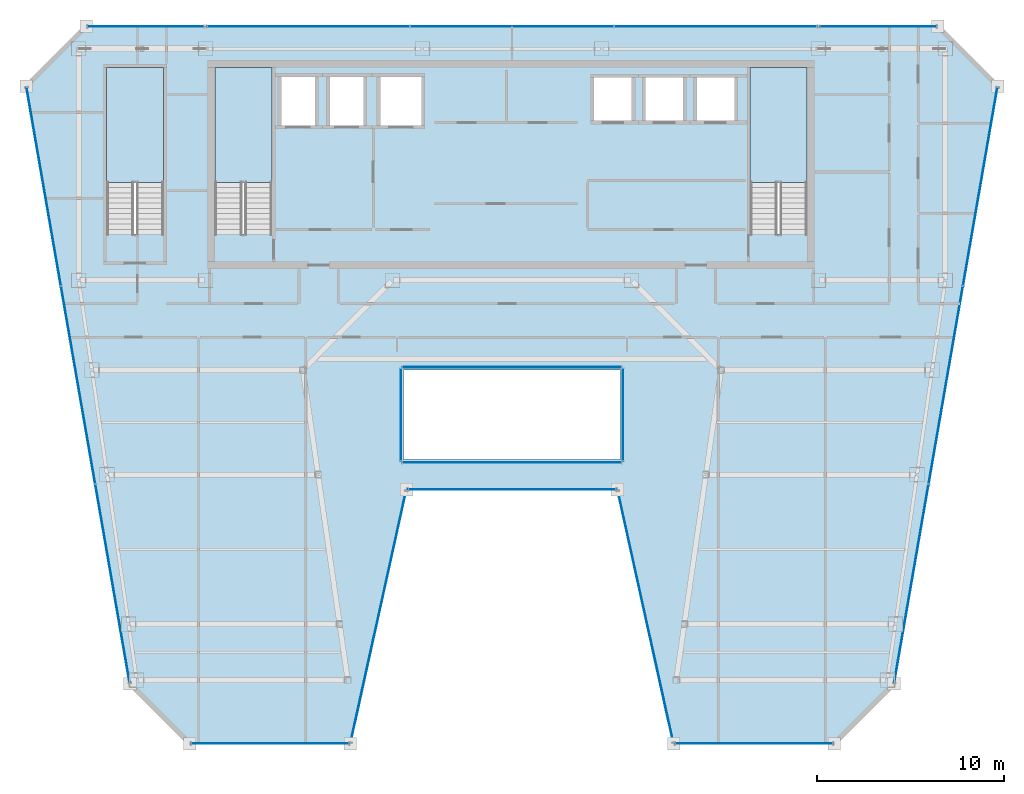
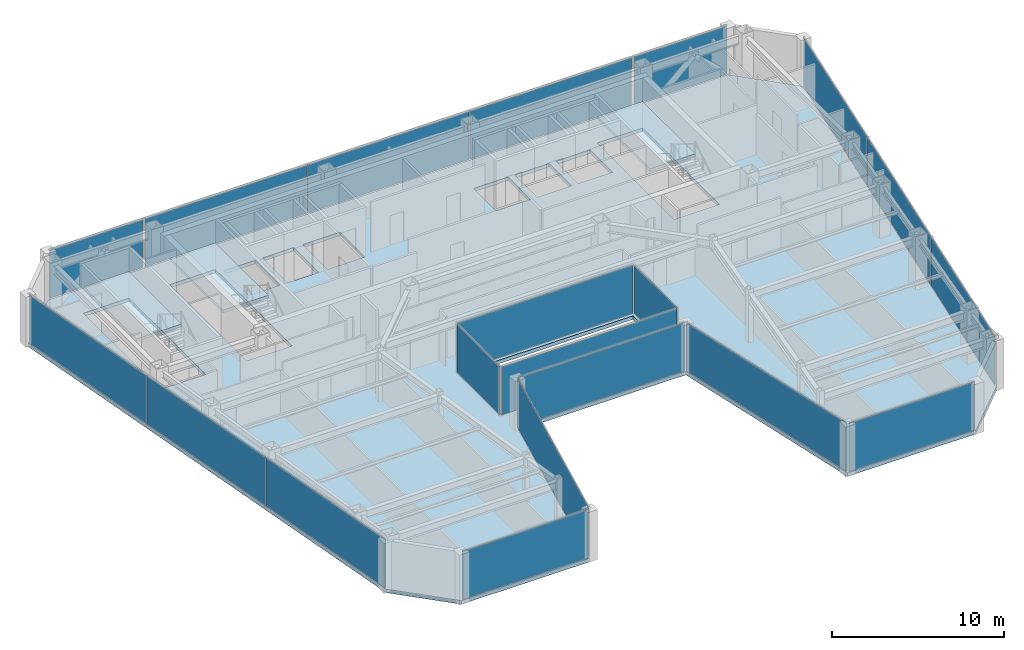
# One storey, part 24 of 32: 20 plates, 4 slabs, 17 elements without a shape of their own.
"""IFC4 building model written with IfcOpenShell, lengths in metres."""

from ifc_helpers import new_model, si_unit, direction, frame, origin, origin_2d, place, context, subcontext, project, spatial, polyline, rectangle, outline, extrude, material, layer, layer_set, type_object, element, aggregate, save


model = new_model("IFC4")

# Units and contexts
model_context = context("Model", 3, precision=1e-05, world=origin(), true_north=direction((0.0, 1.0)))
body_context = subcontext(model_context, "Body", "Model", "MODEL_VIEW")
ifc_project = project(units=[si_unit("LENGTHUNIT", "METRE"), si_unit("AREAUNIT", "SQUARE_METRE"), si_unit("VOLUMEUNIT", "CUBIC_METRE"), si_unit("PLANEANGLEUNIT", "RADIAN"), si_unit("MASSUNIT", "GRAM", prefix="KILO")], contexts=[model_context])

# Site, building, storey
site_placement = place(None, origin())
site = spatial("IfcSite", under=ifc_project, at=site_placement, CompositionType="ELEMENT")
building_placement = place(site_placement, origin())
building = spatial("IfcBuilding", under=site, at=building_placement, Name="Saevonmaru Cultural Tower", CompositionType="ELEMENT")
storey_placement = place(building_placement, frame((0.0, 0.0, 242.0)))
storey = spatial("IfcBuildingStorey", under=building, at=storey_placement, Name="L56", CompositionType="ELEMENT", Elevation=242.0)

# Curtain wall, plate
ifc_material_1 = material(Name="Satin Bronze Anodised Aluminium", Category="aluminium")
curtain_wall_type_1 = type_object("IfcCurtainWallType", Name="CW-ATR-GLZ", PredefinedType="NOTDEFINED", material=ifc_material_1)
curtain_wall_1_placement = place(storey_placement, origin())
curtain_wall_1 = element("IfcCurtainWall", 1, at=curtain_wall_1_placement, inside=storey, type_object=curtain_wall_type_1, Name="L56 Vertical Atrium Glazed Smoke Screen 1", PredefinedType="NOTDEFINED")
ifc_material_2 = material(Name="Fire-Rated Laminated Atrium Glass", Category="glass")
ifc_layer_1 = layer(ifc_material_2, 0.031982421875, Name="Fire-Rated Laminated Atrium Glass")
ifc_layer_set_1 = layer_set([ifc_layer_1], Name="Fire-Rated Laminated Atrium Glass")
plate_type_1 = type_object("IfcPlateType", Name="PN-GLZ-ATR-INT", PredefinedType="CURTAIN_PANEL", material=ifc_layer_set_1)
plate_1_placement = place(storey_placement, frame((30.0, 32.64990234375, 0.06689453125), z_axis=(0.0, 0.0, 1.0), x_axis=(1.0, 0.0, 0.0)))
plate_1 = element("IfcPlate", 2, at=plate_1_placement, type_object=plate_type_1, Name="CW-ATR-L56-1 panel 1.1", PredefinedType="CURTAIN_PANEL", context=body_context, shape_type="SweptSolid", body=[
    extrude(rectangle(XDim=11.7109375, YDim=0.031982421875, at=origin_2d()), origin(), (0.0, 0.0, 1.0), 3.416015625),
])
aggregate(curtain_wall_1, [plate_1])

curtain_wall_2_placement = place(storey_placement, origin())
curtain_wall_2 = element("IfcCurtainWall", 3, at=curtain_wall_2_placement, inside=storey, type_object=curtain_wall_type_1, Name="L56 Vertical Atrium Glazed Smoke Screen 2", PredefinedType="NOTDEFINED")
plate_2_placement = place(storey_placement, frame((35.949951171875, 35.199951171875, 0.06689453125), z_axis=(0.0, 0.0, 1.0), x_axis=(0.0, 1.0, 0.0)))
plate_2 = element("IfcPlate", 4, at=plate_2_placement, type_object=plate_type_1, Name="CW-ATR-L56-2 panel 1.1", PredefinedType="CURTAIN_PANEL", context=body_context, shape_type="SweptSolid", body=[
    extrude(rectangle(XDim=4.910888671875, YDim=0.031982421875, at=origin_2d()), origin(), (0.0, 0.0, 1.0), 3.416015625),
])
aggregate(curtain_wall_2, [plate_2])

curtain_wall_3_placement = place(storey_placement, origin())
curtain_wall_3 = element("IfcCurtainWall", 5, at=curtain_wall_3_placement, inside=storey, type_object=curtain_wall_type_1, Name="L56 Vertical Atrium Glazed Smoke Screen 3", PredefinedType="NOTDEFINED")
plate_3_placement = place(storey_placement, frame((30.0, 37.75, 0.06689453125), z_axis=(0.0, 0.0, 1.0), x_axis=(-1.0, 0.0, 0.0)))
plate_3 = element("IfcPlate", 6, at=plate_3_placement, type_object=plate_type_1, Name="CW-ATR-L56-3 panel 1.1", PredefinedType="CURTAIN_PANEL", context=body_context, shape_type="SweptSolid", body=[
    extrude(rectangle(XDim=11.7109375, YDim=0.031982421875, at=origin_2d()), origin(), (0.0, 0.0, 1.0), 3.416015625),
])
aggregate(curtain_wall_3, [plate_3])

curtain_wall_4_placement = place(storey_placement, origin())
curtain_wall_4 = element("IfcCurtainWall", 7, at=curtain_wall_4_placement, inside=storey, type_object=curtain_wall_type_1, Name="L56 Vertical Atrium Glazed Smoke Screen 4", PredefinedType="NOTDEFINED")
plate_4_placement = place(storey_placement, frame((24.050048828125, 35.199951171875, 0.06689453125), z_axis=(0.0, 0.0, 1.0), x_axis=(0.0, -1.0, 0.0)))
plate_4 = element("IfcPlate", 8, at=plate_4_placement, type_object=plate_type_1, Name="CW-ATR-L56-4 panel 1.1", PredefinedType="CURTAIN_PANEL", context=body_context, shape_type="SweptSolid", body=[
    extrude(rectangle(XDim=4.910888671875, YDim=0.031982421875, at=origin_2d()), origin(), (0.0, 0.0, 1.0), 3.416015625),
])
aggregate(curtain_wall_4, [plate_4])

curtain_wall_type_2 = type_object("IfcCurtainWallType", Name="CW-TYP-B", PredefinedType="NOTDEFINED", material=ifc_material_1)
curtain_wall_5_placement = place(storey_placement, origin())
curtain_wall_5 = element("IfcCurtainWall", 9, at=curtain_wall_5_placement, inside=storey, type_object=curtain_wall_type_2, Name="L56 Unitised Curtain Wall E2", PredefinedType="NOTDEFINED")
ifc_material_3 = material(Name="Triple Silver Low-E Insulating Glass", Category="glass")
ifc_layer_2 = layer(ifc_material_3, 0.035888671875, Name="Triple Silver Low-E Insulating Glass")
ifc_layer_set_2 = layer_set([ifc_layer_2], Name="Triple Silver Low-E Insulating Glass")
plate_type_2 = type_object("IfcPlateType", Name="PN-GLZ-IGU", PredefinedType="CURTAIN_PANEL", material=ifc_layer_set_2)
plate_5_placement = place(storey_placement, frame((17.046630859375, 17.60009765625, 0.06689453125), z_axis=(0.0, 0.0, 1.0), x_axis=(1.0, 0.0, 0.0)))
plate_5 = element("IfcPlate", 10, at=plate_5_placement, type_object=plate_type_2, Name="CW-TW-L56-E2 panel 1.1", PredefinedType="CURTAIN_PANEL", context=body_context, shape_type="SweptSolid", body=[
    extrude(rectangle(XDim=8.410888671875, YDim=0.035888671875, at=origin_2d()), origin(), (0.0, 0.0, 1.0), 3.416015625),
])
aggregate(curtain_wall_5, [plate_5])

curtain_wall_6_placement = place(storey_placement, origin())
curtain_wall_6 = element("IfcCurtainWall", 11, at=curtain_wall_6_placement, inside=storey, type_object=curtain_wall_type_2, Name="L56 Unitised Curtain Wall E3", PredefinedType="NOTDEFINED")
plate_6_placement = place(storey_placement, frame((22.8466796875, 24.39990234375, 0.06689453125), z_axis=(0.0, 0.0, 1.0), x_axis=(0.215413319953, 0.976522965212, 0.0)))
plate_6 = element("IfcPlate", 12, at=plate_6_placement, type_object=plate_type_2, Name="CW-TW-L56-E3 panel 1.1", PredefinedType="CURTAIN_PANEL", context=body_context, shape_type="SweptSolid", body=[
    extrude(rectangle(XDim=13.738037109375, YDim=0.035888671875, at=origin_2d()), origin(), (0.0, 0.0, 1.0), 3.416015625),
])
aggregate(curtain_wall_6, [plate_6])

curtain_wall_7_placement = place(storey_placement, origin())
curtain_wall_7 = element("IfcCurtainWall", 13, at=curtain_wall_7_placement, inside=storey, type_object=curtain_wall_type_2, Name="L56 Unitised Curtain Wall E4", PredefinedType="NOTDEFINED")
plate_7_placement = place(storey_placement, frame((30.0, 31.199951171875, 0.06689453125), z_axis=(0.0, 0.0, 1.0), x_axis=(1.0, 0.0, 0.0)))
plate_7 = element("IfcPlate", 14, at=plate_7_placement, type_object=plate_type_2, Name="CW-TW-L56-E4 panel 1.1", PredefinedType="CURTAIN_PANEL", context=body_context, shape_type="SweptSolid", body=[
    extrude(rectangle(XDim=11.11767578125, YDim=0.035888671875, at=origin_2d()), origin(), (0.0, 0.0, 1.0), 3.416015625),
])
aggregate(curtain_wall_7, [plate_7])

curtain_wall_8_placement = place(storey_placement, origin())
curtain_wall_8 = element("IfcCurtainWall", 15, at=curtain_wall_8_placement, inside=storey, type_object=curtain_wall_type_2, Name="L56 Unitised Curtain Wall E5", PredefinedType="NOTDEFINED")
plate_8_placement = place(storey_placement, frame((37.1533203125, 24.39990234375, 0.06689453125), z_axis=(0.0, 0.0, 1.0), x_axis=(0.215413319953, -0.976522965212, 0.0)))
plate_8 = element("IfcPlate", 16, at=plate_8_placement, type_object=plate_type_2, Name="CW-TW-L56-E5 panel 1.1", PredefinedType="CURTAIN_PANEL", context=body_context, shape_type="SweptSolid", body=[
    extrude(rectangle(XDim=13.738037109375, YDim=0.035888671875, at=origin_2d()), origin(), (0.0, 0.0, 1.0), 3.416015625),
])
aggregate(curtain_wall_8, [plate_8])

curtain_wall_9_placement = place(storey_placement, origin())
curtain_wall_9 = element("IfcCurtainWall", 17, at=curtain_wall_9_placement, inside=storey, type_object=curtain_wall_type_2, Name="L56 Unitised Curtain Wall E6", PredefinedType="NOTDEFINED")
plate_9_placement = place(storey_placement, frame((42.953369140625, 17.60009765625, 0.06689453125), z_axis=(0.0, 0.0, 1.0), x_axis=(1.0, 0.0, 0.0)))
plate_9 = element("IfcPlate", 18, at=plate_9_placement, type_object=plate_type_2, Name="CW-TW-L56-E6 panel 1.1", PredefinedType="CURTAIN_PANEL", context=body_context, shape_type="SweptSolid", body=[
    extrude(rectangle(XDim=8.410888671875, YDim=0.035888671875, at=origin_2d()), origin(), (0.0, 0.0, 1.0), 3.416015625),
])
aggregate(curtain_wall_9, [plate_9])

# Curtain wall, plates
curtain_wall_10_placement = place(storey_placement, origin())
curtain_wall_10 = element("IfcCurtainWall", 19, at=curtain_wall_10_placement, inside=storey, type_object=curtain_wall_type_2, Name="L56 Unitised Curtain Wall E8", PredefinedType="NOTDEFINED")
plate_10_placement = place(storey_placement, frame((51.384521484375, 26.1728515625, 0.06689453125), z_axis=(0.0, 0.0, 1.0), x_axis=(0.170790369887, 0.985307388359, 0.0)))
plate_10 = element("IfcPlate", 20, at=plate_10_placement, type_object=plate_type_2, Name="CW-TW-L56-E8 panel 1.1", PredefinedType="CURTAIN_PANEL", context=body_context, shape_type="SweptSolid", body=[
    extrude(rectangle(XDim=10.716796875, YDim=0.035888671875, at=origin_2d()), origin(), (0.0, 0.0, 1.0), 3.416015625),
])
plate_11_placement = place(storey_placement, frame((53.2265625, 36.800048828125, 0.06689453125), z_axis=(0.0, 0.0, 1.0), x_axis=(0.170790369887, 0.985307388359, 0.0)))
plate_11 = element("IfcPlate", 21, at=plate_11_placement, type_object=plate_type_2, Name="CW-TW-L56-E8 panel 2.1", PredefinedType="CURTAIN_PANEL", context=body_context, shape_type="SweptSolid", body=[
    extrude(rectangle(XDim=10.716796875, YDim=0.035888671875, at=origin_2d()), origin(), (0.0, 0.0, 1.0), 3.416015625),
])
plate_12_placement = place(storey_placement, frame((55.06884765625, 47.42724609375, 0.06689453125), z_axis=(0.0, 0.0, 1.0), x_axis=(0.170790369887, 0.985307388359, 0.0)))
plate_12 = element("IfcPlate", 22, at=plate_12_placement, type_object=plate_type_2, Name="CW-TW-L56-E8 panel 3.1", PredefinedType="CURTAIN_PANEL", context=body_context, shape_type="SweptSolid", body=[
    extrude(rectangle(XDim=10.716796875, YDim=0.035888671875, at=origin_2d()), origin(), (0.0, 0.0, 1.0), 3.416015625),
])
aggregate(curtain_wall_10, [plate_10, plate_11, plate_12])

curtain_wall_11_placement = place(storey_placement, origin())
curtain_wall_11 = element("IfcCurtainWall", 23, at=curtain_wall_11_placement, inside=storey, type_object=curtain_wall_type_2, Name="L56 North Spine Unitised Curtain Wall E10B", PredefinedType="NOTDEFINED")
plate_13_placement = place(storey_placement, frame((40.893310546875, 56.0, 0.06689453125), z_axis=(0.0, 0.0, 1.0), x_axis=(-1.0, 0.0, 0.0)))
plate_13 = element("IfcPlate", 24, at=plate_13_placement, type_object=plate_type_2, Name="CW-TW-L56-E10B panel 1.1", PredefinedType="CURTAIN_PANEL", context=body_context, shape_type="SweptSolid", body=[
    extrude(rectangle(XDim=10.82421875, YDim=0.035888671875, at=origin_2d()), origin(), (0.0, 0.0, 1.0), 3.416015625),
])
plate_14_placement = place(storey_placement, frame((30.0, 56.0, 0.06689453125), z_axis=(0.0, 0.0, 1.0), x_axis=(-1.0, 0.0, 0.0)))
plate_14 = element("IfcPlate", 25, at=plate_14_placement, type_object=plate_type_2, Name="CW-TW-L56-E10B panel 2.1", PredefinedType="CURTAIN_PANEL", context=body_context, shape_type="SweptSolid", body=[
    extrude(rectangle(XDim=10.82421875, YDim=0.035888671875, at=origin_2d()), origin(), (0.0, 0.0, 1.0), 3.416015625),
])
plate_15_placement = place(storey_placement, frame((19.106689453125, 56.0, 0.06689453125), z_axis=(0.0, 0.0, 1.0), x_axis=(-1.0, 0.0, 0.0)))
plate_15 = element("IfcPlate", 26, at=plate_15_placement, type_object=plate_type_2, Name="CW-TW-L56-E10B panel 3.1", PredefinedType="CURTAIN_PANEL", context=body_context, shape_type="SweptSolid", body=[
    extrude(rectangle(XDim=10.82421875, YDim=0.035888671875, at=origin_2d()), origin(), (0.0, 0.0, 1.0), 3.416015625),
])
aggregate(curtain_wall_11, [plate_13, plate_14, plate_15])

curtain_wall_12_placement = place(storey_placement, origin())
curtain_wall_12 = element("IfcCurtainWall", 27, at=curtain_wall_12_placement, inside=storey, type_object=curtain_wall_type_2, Name="L56 Unitised Curtain Wall E12", PredefinedType="NOTDEFINED")
plate_16_placement = place(storey_placement, frame((4.93115234375, 47.42724609375, 0.06689453125), z_axis=(0.0, 0.0, 1.0), x_axis=(0.170790369887, -0.985307388359, 0.0)))
plate_16 = element("IfcPlate", 28, at=plate_16_placement, type_object=plate_type_2, Name="CW-TW-L56-E12 panel 1.1", PredefinedType="CURTAIN_PANEL", context=body_context, shape_type="SweptSolid", body=[
    extrude(rectangle(XDim=10.716796875, YDim=0.035888671875, at=origin_2d()), origin(), (0.0, 0.0, 1.0), 3.416015625),
])
plate_17_placement = place(storey_placement, frame((6.7734375, 36.800048828125, 0.06689453125), z_axis=(0.0, 0.0, 1.0), x_axis=(0.170790369887, -0.985307388359, 0.0)))
plate_17 = element("IfcPlate", 29, at=plate_17_placement, type_object=plate_type_2, Name="CW-TW-L56-E12 panel 2.1", PredefinedType="CURTAIN_PANEL", context=body_context, shape_type="SweptSolid", body=[
    extrude(rectangle(XDim=10.716796875, YDim=0.035888671875, at=origin_2d()), origin(), (0.0, 0.0, 1.0), 3.416015625),
])
plate_18_placement = place(storey_placement, frame((8.615478515625, 26.1728515625, 0.06689453125), z_axis=(0.0, 0.0, 1.0), x_axis=(0.170790369887, -0.985307388359, 0.0)))
plate_18 = element("IfcPlate", 30, at=plate_18_placement, type_object=plate_type_2, Name="CW-TW-L56-E12 panel 3.1", PredefinedType="CURTAIN_PANEL", context=body_context, shape_type="SweptSolid", body=[
    extrude(rectangle(XDim=10.716796875, YDim=0.035888671875, at=origin_2d()), origin(), (0.0, 0.0, 1.0), 3.416015625),
])
aggregate(curtain_wall_12, [plate_16, plate_17, plate_18])

# Curtain wall, plate
curtain_wall_13_placement = place(storey_placement, origin())
curtain_wall_13 = element("IfcCurtainWall", 31, at=curtain_wall_13_placement, inside=storey, type_object=curtain_wall_type_2, Name="L56 East Braced Bay Spandrel Curtain Wall E10A", PredefinedType="NOTDEFINED")
ifc_material_4 = material(Name="Insulated Satin Bronze Aluminium Spandrel Panel", Category="aluminium")
ifc_layer_3 = layer(ifc_material_4, 0.0400390625, Name="Insulated Satin Bronze Aluminium Spandrel Panel")
ifc_layer_set_3 = layer_set([ifc_layer_3], Name="Insulated Satin Bronze Aluminium Spandrel Panel")
plate_type_3 = type_object("IfcPlateType", Name="PN-SPANDREL-BRONZE", PredefinedType="CURTAIN_PANEL", material=ifc_layer_set_3)
plate_19_placement = place(storey_placement, frame((49.60009765625, 56.0, 0.06689453125), z_axis=(0.0, 0.0, 1.0), x_axis=(-1.0, 0.0, 0.0)))
plate_19 = element("IfcPlate", 32, at=plate_19_placement, type_object=plate_type_3, Name="CW-TW-L56-E10A panel 1.1", PredefinedType="CURTAIN_PANEL", context=body_context, shape_type="SweptSolid", body=[
    extrude(rectangle(XDim=6.2109375, YDim=0.035888671875, at=origin_2d()), origin(), (0.0, 0.0, 1.0), 3.416015625),
])
aggregate(curtain_wall_13, [plate_19])

curtain_wall_14_placement = place(storey_placement, origin())
curtain_wall_14 = element("IfcCurtainWall", 33, at=curtain_wall_14_placement, inside=storey, type_object=curtain_wall_type_2, Name="L56 West Braced Bay Spandrel Curtain Wall E10C", PredefinedType="NOTDEFINED")
plate_20_placement = place(storey_placement, frame((10.39990234375, 56.0, 0.06689453125), z_axis=(0.0, 0.0, 1.0), x_axis=(-1.0, 0.0, 0.0)))
plate_20 = element("IfcPlate", 34, at=plate_20_placement, type_object=plate_type_3, Name="CW-TW-L56-E10C panel 1.1", PredefinedType="CURTAIN_PANEL", context=body_context, shape_type="SweptSolid", body=[
    extrude(rectangle(XDim=6.2109375, YDim=0.035888671875, at=origin_2d()), origin(), (0.0, 0.0, 1.0), 3.416015625),
])
aggregate(curtain_wall_14, [plate_20])

# Slab
ifc_material_5 = material(Name="Concrete C40/50", Category="concrete")
ifc_layer_4 = layer(ifc_material_5, 0.25, Name="Concrete C40/50")
ifc_layer_set_4 = layer_set([ifc_layer_4], Name="Concrete C40/50")
slab_type_1 = type_object("IfcSlabType", Name="SL-FLR-250", PredefinedType="FLOOR", material=ifc_layer_set_4)
slab_1_placement = place(storey_placement, frame((0.0, 0.0, -0.25)))
element("IfcSlab", 35, at=slab_1_placement, inside=storey, type_object=slab_type_1, Name="L56 Tower Structural Floor Slab", PredefinedType="FLOOR", context=body_context, shape_type="SweptSolid", body=[
    extrude(outline(polyline([(9.546630859375, 20.800048828125), (12.74658203125, 17.60009765625), (21.3466796875, 17.60009765625), (24.3466796875, 31.199951171875), (35.6533203125, 31.199951171875), (38.6533203125, 17.60009765625), (47.25341796875, 17.60009765625), (50.453369140625, 20.800048828125), (56.0, 52.800048828125), (52.800048828125, 56.0), (7.199951171875, 56.0), (4.0, 52.800048828125), (9.546630859375, 20.800048828125)]), holes=[polyline([(45.800048828125, 44.875), (42.75, 44.875), (42.75, 53.800048828125), (45.800048828125, 53.800048828125), (45.800048828125, 44.875)]), polyline([(39.75, 50.800048828125), (39.75, 53.39990234375), (42.050048828125, 53.39990234375), (42.050048828125, 50.800048828125), (39.75, 50.800048828125)]), polyline([(37.0, 50.800048828125), (37.0, 53.39990234375), (39.300048828125, 53.39990234375), (39.300048828125, 50.800048828125), (37.0, 50.800048828125)]), polyline([(36.550048828125, 50.800048828125), (34.25, 50.800048828125), (34.25, 53.39990234375), (36.550048828125, 53.39990234375), (36.550048828125, 50.800048828125)]), polyline([(35.800048828125, 32.800048828125), (24.199951171875, 32.800048828125), (24.199951171875, 37.60009765625), (35.800048828125, 37.60009765625), (35.800048828125, 32.800048828125)]), polyline([(25.300048828125, 50.550048828125), (22.800048828125, 50.550048828125), (22.800048828125, 53.449951171875), (25.300048828125, 53.449951171875), (25.300048828125, 50.550048828125)]), polyline([(22.199951171875, 50.550048828125), (20.10009765625, 50.550048828125), (20.10009765625, 53.449951171875), (22.199951171875, 53.449951171875), (22.199951171875, 50.550048828125)]), polyline([(17.5, 50.550048828125), (17.5, 53.449951171875), (19.60009765625, 53.449951171875), (19.60009765625, 50.550048828125), (17.5, 50.550048828125)]), polyline([(17.14990234375, 53.800048828125), (17.14990234375, 44.875), (14.10009765625, 44.875), (14.10009765625, 53.800048828125), (17.14990234375, 53.800048828125)]), polyline([(11.35009765625, 53.800048828125), (11.35009765625, 44.875), (8.300048828125, 44.875), (8.300048828125, 53.800048828125), (11.35009765625, 53.800048828125)])]), origin(), (0.0, 0.0, 1.0), 0.25),
])

# Stair, slab
stair_type = type_object("IfcStairType", Name="STR-DOGLEG-RC", PredefinedType="HALF_TURN_STAIR", material=ifc_material_5)
stair_1_placement = place(storey_placement, origin())
stair_1 = element("IfcStair", 36, at=stair_1_placement, inside=storey, type_object=stair_type, Name="L56 Protected exit stair ST-1", PredefinedType="HALF_TURN_STAIR")
ifc_layer_5 = layer(ifc_material_5, 0.199951171875, Name="Concrete C40/50")
ifc_layer_set_5 = layer_set([ifc_layer_5], Name="Concrete C40/50")
slab_type_2 = type_object("IfcSlabType", Name="SL-STAIR-LANDING", PredefinedType="LANDING", material=ifc_layer_set_5)
slab_2_placement = place(storey_placement, frame((0.0, 0.0, 1.699951171875)))
slab_2 = element("IfcSlab", 37, at=slab_2_placement, type_object=slab_type_2, Name="ST-1-L56 landing 1", PredefinedType="LANDING", context=body_context, shape_type="SweptSolid", body=[
    extrude(outline(polyline([(17.14990234375, 47.64990234375), (17.14990234375, 53.800048828125), (14.10009765625, 53.800048828125), (14.10009765625, 47.64990234375), (17.14990234375, 47.64990234375)])), origin(), (0.0, 0.0, 1.0), 0.199951171875),
])
aggregate(stair_1, [slab_2])

stair_2_placement = place(storey_placement, origin())
stair_2 = element("IfcStair", 38, at=stair_2_placement, inside=storey, type_object=stair_type, Name="L56 Protected exit stair ST-2", PredefinedType="HALF_TURN_STAIR")
slab_3_placement = place(storey_placement, frame((0.0, 0.0, 1.699951171875)))
slab_3 = element("IfcSlab", 39, at=slab_3_placement, type_object=slab_type_2, Name="ST-2-L56 landing 1", PredefinedType="LANDING", context=body_context, shape_type="SweptSolid", body=[
    extrude(outline(polyline([(45.800048828125, 47.64990234375), (45.800048828125, 53.800048828125), (42.75, 53.800048828125), (42.75, 47.64990234375), (45.800048828125, 47.64990234375)])), origin(), (0.0, 0.0, 1.0), 0.199951171875),
])
aggregate(stair_2, [slab_3])

stair_3_placement = place(storey_placement, origin())
stair_3 = element("IfcStair", 40, at=stair_3_placement, inside=storey, type_object=stair_type, Name="L56 Protected exit stair ST-3", PredefinedType="HALF_TURN_STAIR")
slab_4_placement = place(storey_placement, frame((0.0, 0.0, 1.699951171875)))
slab_4 = element("IfcSlab", 41, at=slab_4_placement, type_object=slab_type_2, Name="ST-3-L56 landing 1", PredefinedType="LANDING", context=body_context, shape_type="SweptSolid", body=[
    extrude(outline(polyline([(11.35009765625, 47.64990234375), (11.35009765625, 53.800048828125), (8.300048828125, 53.800048828125), (8.300048828125, 47.64990234375), (11.35009765625, 47.64990234375)])), origin(), (0.0, 0.0, 1.0), 0.199951171875),
])
aggregate(stair_3, [slab_4])

save(model, "model.ifc")
